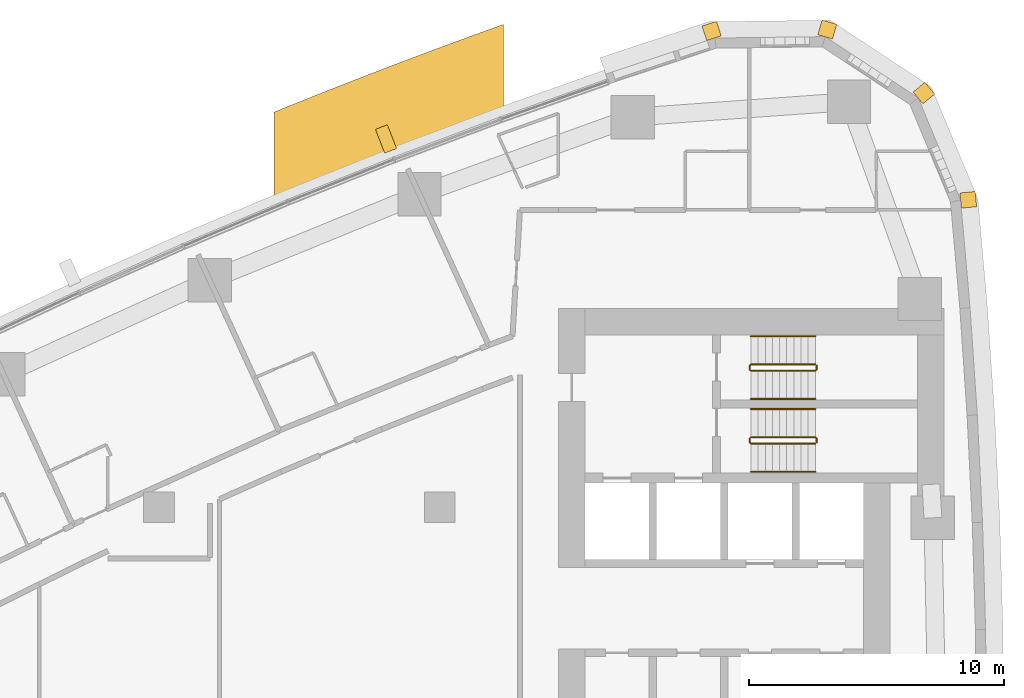
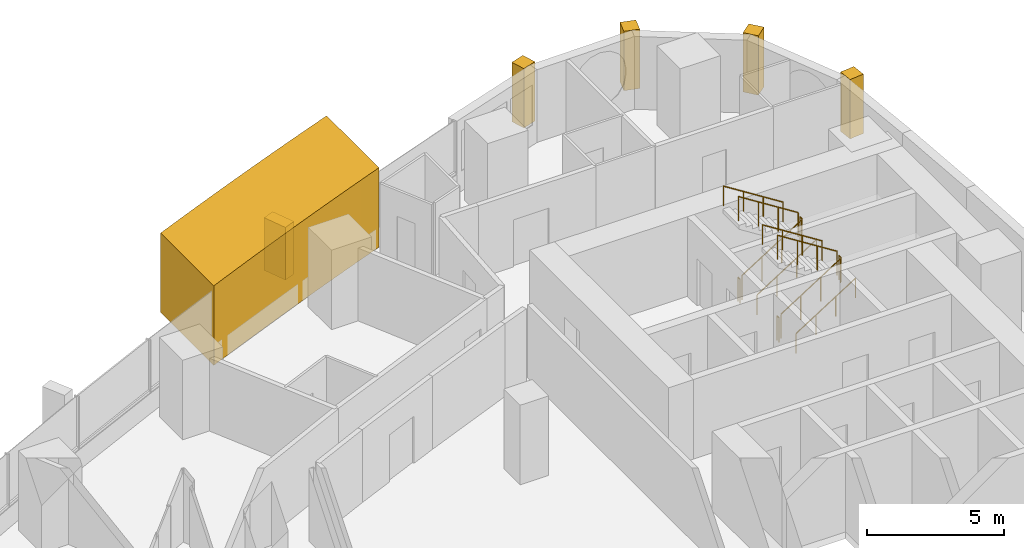
# One storey, part 17 of 17: 12 railings, 6 coverings.
"""IFC4 building model written with IfcOpenShell, lengths in metres."""

from ifc_helpers import new_model, si_unit, direction, frame, frame_2d, origin, origin_2d, place, context, subcontext, project, spatial, polyline, rectangle, circle, outline, extrude, material, layer, layer_set, type_object, element, save


model = new_model("IFC4")

# Units and contexts
model_context = context("Model", 3, precision=1e-05, world=origin(), true_north=direction((0.0, 1.0)))
body_context = subcontext(model_context, "Body", "Model", "MODEL_VIEW")
ifc_project = project(units=[si_unit("LENGTHUNIT", "METRE"), si_unit("AREAUNIT", "SQUARE_METRE"), si_unit("VOLUMEUNIT", "CUBIC_METRE"), si_unit("PLANEANGLEUNIT", "RADIAN"), si_unit("MASSUNIT", "GRAM", prefix="KILO")], contexts=[model_context])

# Site, building, storey
site_placement = place(None, origin())
site = spatial("IfcSite", under=ifc_project, at=site_placement, CompositionType="ELEMENT")
building_placement = place(site_placement, origin())
building = spatial("IfcBuilding", under=site, at=building_placement, Name="Ostrand Prow Hotel Tower", CompositionType="ELEMENT")
storey_placement = place(building_placement, frame((0.0, 0.0, 113.300048828125)))
storey = spatial("IfcBuildingStorey", under=building, at=storey_placement, Name="L27", CompositionType="ELEMENT", Elevation=113.300048828125)

# Coverings
ifc_material_1 = material(Name="Limestone cladding", Category="masonry")
ifc_layer_1 = layer(ifc_material_1, 5.0)
ifc_layer_set_1 = layer_set([ifc_layer_1], Name="Limestone cladding")
covering_type_1 = type_object("IfcCoveringType", Name="Portal jamb pilaster limestone", PredefinedType="CLADDING", material=ifc_layer_set_1)
covering_1_placement = place(storey_placement, origin())
element("IfcCovering", 1, at=covering_1_placement, inside=storey, type_object=covering_type_1, Name="Portal jamb NB L27", PredefinedType="CLADDING", context=body_context, shape_type="SweptSolid", body=[
    extrude(outline(polyline([(38.5, 20.59423828125), (39.5, 21.006103515625), (40.5, 21.412353515625), (41.5, 21.812744140625), (42.5, 22.207763671875), (43.5, 22.59716796875), (44.5, 22.98095703125), (45.5, 23.359130859375), (46.5, 23.732177734375), (47.5, 24.099609375), (47.5, 27.927490234375), (46.5, 27.566650390625), (45.5, 27.200439453125), (44.5, 26.8291015625), (43.5, 26.4521484375), (42.5, 26.06982421875), (41.5, 25.68212890625), (40.5, 25.2890625), (39.5, 24.890380859375), (38.5, 24.486083984375), (38.5, 20.59423828125)])), origin(), (0.0, 0.0, 1.0), 3.550048828125),
])
ifc_material_2 = material(Name="Limestone cladding", Category="masonry")
ifc_layer_2 = layer(ifc_material_2, 0.5)
ifc_layer_set_2 = layer_set([ifc_layer_2], Name="Limestone cladding")
covering_type_2 = type_object("IfcCoveringType", Name="Precast stone fin 500x900", PredefinedType="CLADDING", material=ifc_layer_set_2)
covering_2_placement = place(storey_placement, frame((43.0791015625, 22.97021484375, 0.89990234375), z_axis=(0.0, 0.0, 1.0), x_axis=(-0.361774694157, 0.932265558019, 0.0)))
element("IfcCovering", 2, at=covering_2_placement, inside=storey, type_object=covering_type_2, Name="Stone fin N 3", PredefinedType="CLADDING", context=body_context, shape_type="SweptSolid", body=[
    extrude(rectangle(XDim=1.0, YDim=0.5, at=frame_2d((0.5, 0.0))), origin(), (0.0, 0.0, 1.0), 2.35009765625),
])
ifc_material_3 = material(Name="Limestone cladding", Category="masonry")
ifc_layer_3 = layer(ifc_material_3, 0.60009765625)
ifc_layer_set_3 = layer_set([ifc_layer_3], Name="Limestone cladding")
covering_type_3 = type_object("IfcCoveringType", Name="Precast stone prow rib 600x600", PredefinedType="CLADDING", material=ifc_layer_set_3)
for number, where, z_axis, x_axis, name in (
    (3, (65.41650390625, 21.02099609375, 0.599853515625), (0.0, 0.0, 1.0), (0.99529571972, 0.096883591531, 0.0), "Stone corner rib 15a"),
    (4, (63.74365234375, 25.043212890625, 0.599853515625), (0.0, 0.0, 1.0), (0.770318500913, 0.637659319034, 0.0), "Stone corner rib 16a"),
):
    element("IfcCovering", number, at=place(storey_placement, frame(where, z_axis=z_axis, x_axis=x_axis)), inside=storey, type_object=covering_type_3, Name=name, PredefinedType="CLADDING", context=body_context, shape_type="SweptSolid", body=[
        extrude(rectangle(XDim=0.599853515625, YDim=0.60009765625, at=frame_2d((0.2998046875, 0.0))), origin(), (0.0, 0.0, 1.0), 2.650146484375),
    ])
covering_3_placement = place(storey_placement, frame((60.104736328125, 27.437744140625, 0.599853515625), z_axis=(0.0, 0.0, 1.0), x_axis=(0.280734221166, 0.959785547436, 0.0)))
element("IfcCovering", 5, at=covering_3_placement, inside=storey, type_object=covering_type_3, Name="Stone corner rib 17a", PredefinedType="CLADDING", context=body_context, shape_type="SweptSolid", body=[
    extrude(rectangle(XDim=0.60009765625, YDim=0.60009765625, at=frame_2d((0.300048828125, 0.0))), origin(), (0.0, 0.0, 1.0), 2.650146484375),
])
covering_4_placement = place(storey_placement, frame((55.7490234375, 27.3828125, 0.599853515625), z_axis=(0.0, 0.0, 1.0), x_axis=(-0.305218682065, 0.952282288042, 0.0)))
element("IfcCovering", 6, at=covering_4_placement, inside=storey, type_object=covering_type_3, Name="Stone corner rib 17b", PredefinedType="CLADDING", context=body_context, shape_type="SweptSolid", body=[
    extrude(rectangle(XDim=0.599853515625, YDim=0.60009765625, at=frame_2d((0.2998046875, 0.0))), origin(), (0.0, 0.0, 1.0), 2.650146484375),
])

# Railings
ifc_material_4 = material(Name="Painted steel", Category="steel")
railing_type_1 = type_object("IfcRailingType", Name="Stair guard 1100", PredefinedType="GUARDRAIL", material=ifc_material_4)
railing_1_placement = place(storey_placement, frame((57.199951171875, 11.5, 0.177490234375)))
element("IfcRailing", 7, at=railing_1_placement, inside=storey, type_object=railing_type_1, Name="L27 ST1C stair guard 1", PredefinedType="GUARDRAIL", context=body_context, shape_type="SweptSolid", body=[
    extrude(circle(Radius=0.02392578125, at=origin_2d()), frame((0.0, 0.0, 1.076171875), z_axis=(0.84460694969, 0.0, 0.535386869969), x_axis=(0.0, 1.0, 0.0)), (0.0, 0.0, 1.0), 2.983642578125),
    extrude(circle(Radius=0.02099609375, at=origin_2d()), origin(), (0.0, 0.0, 1.0), 1.052001953125),
    extrude(circle(Radius=0.02099609375, at=origin_2d()), frame((0.840087890625, 0.0, 0.532470703125)), (0.0, 0.0, 1.0), 1.052001953125),
    extrude(circle(Radius=0.02099609375, at=origin_2d()), frame((1.679931640625, 0.0, 1.06494140625)), (0.0, 0.0, 1.0), 1.052001953125),
    extrude(circle(Radius=0.02099609375, at=origin_2d()), frame((2.52001953125, 0.0, 1.597412109375)), (0.0, 0.0, 1.0), 1.052001953125),
])
railing_2_placement = place(storey_placement, frame((59.77001953125, 11.550048828125, 1.77490234375)))
element("IfcRailing", 8, at=railing_2_placement, inside=storey, type_object=railing_type_1, Name="L27 ST1C stair guard 2", PredefinedType="GUARDRAIL", context=body_context, shape_type="SweptSolid", body=[
    extrude(circle(Radius=0.02392578125, at=origin_2d()), frame((0.0, 0.0, 1.076171875), z_axis=(0.0, 1.0, 0.0), x_axis=(-1.0, 0.0, 0.0)), (0.0, 0.0, 1.0), 0.14990234375),
    extrude(circle(Radius=0.02099609375, at=origin_2d()), origin(), (0.0, 0.0, 1.0), 1.052001953125),
    extrude(circle(Radius=0.02099609375, at=origin_2d()), frame((0.0, 0.14990234375, 0.0)), (0.0, 0.0, 1.0), 1.052001953125),
])
railing_3_placement = place(storey_placement, frame((59.719970703125, 11.75, 1.952392578125)))
element("IfcRailing", 9, at=railing_3_placement, inside=storey, type_object=railing_type_1, Name="L27 ST1C stair guard 3", PredefinedType="GUARDRAIL", context=body_context, shape_type="SweptSolid", body=[
    extrude(circle(Radius=0.02392578125, at=origin_2d()), frame((0.0, 0.0, 1.076171875), z_axis=(-0.84456994832, 0.0, 0.535445237532), x_axis=(0.0, -1.0, 0.0)), (0.0, 0.0, 1.0), 2.98388671875),
    extrude(circle(Radius=0.02099609375, at=origin_2d()), origin(), (0.0, 0.0, 1.0), 1.052001953125),
    extrude(circle(Radius=0.02099609375, at=origin_2d()), frame((-0.840087890625, 0.0, 0.532470703125)), (0.0, 0.0, 1.0), 1.052001953125),
    extrude(circle(Radius=0.02099609375, at=origin_2d()), frame((-1.679931640625, 0.0, 1.065185546875)), (0.0, 0.0, 1.0), 1.052001953125),
    extrude(circle(Radius=0.02099609375, at=origin_2d()), frame((-2.52001953125, 0.0, 1.59765625)), (0.0, 0.0, 1.0), 1.052001953125),
])
railing_4_placement = place(storey_placement, frame((57.14990234375, 11.550048828125, 0.0)))
element("IfcRailing", 10, at=railing_4_placement, inside=storey, type_object=railing_type_1, Name="L27 ST1C stair guard 4", PredefinedType="GUARDRAIL", context=body_context, shape_type="SweptSolid", body=[
    extrude(circle(Radius=0.02392578125, at=origin_2d()), frame((0.0, 0.0, 1.076171875), z_axis=(0.0, 1.0, 0.0), x_axis=(-1.0, 0.0, 0.0)), (0.0, 0.0, 1.0), 0.14990234375),
    extrude(circle(Radius=0.02099609375, at=origin_2d()), origin(), (0.0, 0.0, 1.0), 1.052001953125),
    extrude(circle(Radius=0.02099609375, at=origin_2d()), frame((0.0, 0.14990234375, 0.0)), (0.0, 0.0, 1.0), 1.052001953125),
])
railing_5_placement = place(storey_placement, frame((57.199951171875, 14.35009765625, 0.177490234375)))
element("IfcRailing", 11, at=railing_5_placement, inside=storey, type_object=railing_type_1, Name="L27 ST3C stair guard 1", PredefinedType="GUARDRAIL", context=body_context, shape_type="SweptSolid", body=[
    extrude(circle(Radius=0.02392578125, at=origin_2d()), frame((0.0, 0.0, 1.076171875), z_axis=(0.84460694969, 0.0, 0.535386869969), x_axis=(0.0, 1.0, 0.0)), (0.0, 0.0, 1.0), 2.983642578125),
    extrude(circle(Radius=0.02099609375, at=origin_2d()), origin(), (0.0, 0.0, 1.0), 1.052001953125),
    extrude(circle(Radius=0.02099609375, at=origin_2d()), frame((0.840087890625, 0.0, 0.532470703125)), (0.0, 0.0, 1.0), 1.052001953125),
    extrude(circle(Radius=0.02099609375, at=origin_2d()), frame((1.679931640625, 0.0, 1.06494140625)), (0.0, 0.0, 1.0), 1.052001953125),
    extrude(circle(Radius=0.02099609375, at=origin_2d()), frame((2.52001953125, 0.0, 1.597412109375)), (0.0, 0.0, 1.0), 1.052001953125),
])
railing_6_placement = place(storey_placement, frame((59.77001953125, 14.39990234375, 1.77490234375)))
element("IfcRailing", 12, at=railing_6_placement, inside=storey, type_object=railing_type_1, Name="L27 ST3C stair guard 2", PredefinedType="GUARDRAIL", context=body_context, shape_type="SweptSolid", body=[
    extrude(circle(Radius=0.02392578125, at=origin_2d()), frame((0.0, 0.0, 1.076171875), z_axis=(0.0, 1.0, 0.0), x_axis=(-1.0, 0.0, 0.0)), (0.0, 0.0, 1.0), 0.150146484375),
    extrude(circle(Radius=0.02099609375, at=origin_2d()), origin(), (0.0, 0.0, 1.0), 1.052001953125),
    extrude(circle(Radius=0.02099609375, at=origin_2d()), frame((0.0, 0.150146484375, 0.0)), (0.0, 0.0, 1.0), 1.052001953125),
])
railing_7_placement = place(storey_placement, frame((59.719970703125, 14.60009765625, 1.952392578125)))
element("IfcRailing", 13, at=railing_7_placement, inside=storey, type_object=railing_type_1, Name="L27 ST3C stair guard 3", PredefinedType="GUARDRAIL", context=body_context, shape_type="SweptSolid", body=[
    extrude(circle(Radius=0.02392578125, at=origin_2d()), frame((0.0, 0.0, 1.076171875), z_axis=(-0.84456994832, 0.0, 0.535445237532), x_axis=(0.0, -1.0, 0.0)), (0.0, 0.0, 1.0), 2.98388671875),
    extrude(circle(Radius=0.02099609375, at=origin_2d()), origin(), (0.0, 0.0, 1.0), 1.052001953125),
    extrude(circle(Radius=0.02099609375, at=origin_2d()), frame((-0.840087890625, 0.0, 0.532470703125)), (0.0, 0.0, 1.0), 1.052001953125),
    extrude(circle(Radius=0.02099609375, at=origin_2d()), frame((-1.679931640625, 0.0, 1.065185546875)), (0.0, 0.0, 1.0), 1.052001953125),
    extrude(circle(Radius=0.02099609375, at=origin_2d()), frame((-2.52001953125, 0.0, 1.59765625)), (0.0, 0.0, 1.0), 1.052001953125),
])
railing_8_placement = place(storey_placement, frame((57.14990234375, 14.39990234375, 0.0)))
element("IfcRailing", 14, at=railing_8_placement, inside=storey, type_object=railing_type_1, Name="L27 ST3C stair guard 4", PredefinedType="GUARDRAIL", context=body_context, shape_type="SweptSolid", body=[
    extrude(circle(Radius=0.02392578125, at=origin_2d()), frame((0.0, 0.0, 1.076171875), z_axis=(0.0, 1.0, 0.0), x_axis=(-1.0, 0.0, 0.0)), (0.0, 0.0, 1.0), 0.150146484375),
    extrude(circle(Radius=0.02099609375, at=origin_2d()), origin(), (0.0, 0.0, 1.0), 1.052001953125),
    extrude(circle(Radius=0.02099609375, at=origin_2d()), frame((0.0, 0.150146484375, 0.0)), (0.0, 0.0, 1.0), 1.052001953125),
])
ifc_material_5 = material(Name="Stainless steel", Category="steel")
railing_type_2 = type_object("IfcRailingType", Name="Stair handrail 900", PredefinedType="HANDRAIL", material=ifc_material_5)
railing_9_placement = place(storey_placement, frame((57.199951171875, 10.39990234375, 0.177490234375)))
element("IfcRailing", 15, at=railing_9_placement, inside=storey, type_object=railing_type_2, Name="L27 ST1C stair handrail 1", PredefinedType="HANDRAIL", context=body_context, shape_type="SweptSolid", body=[
    extrude(circle(Radius=0.02392578125, at=origin_2d()), frame((0.0, 0.0, 0.8759765625), z_axis=(0.84460694969, 0.0, 0.535386869969), x_axis=(0.0, 1.0, 0.0)), (0.0, 0.0, 1.0), 2.983642578125),
    extrude(circle(Radius=0.02099609375, at=origin_2d()), origin(), (0.0, 0.0, 1.0), 0.851806640625),
    extrude(circle(Radius=0.02099609375, at=origin_2d()), frame((0.840087890625, 0.0, 0.532470703125)), (0.0, 0.0, 1.0), 0.851806640625),
    extrude(circle(Radius=0.02099609375, at=origin_2d()), frame((1.679931640625, 0.0, 1.06494140625)), (0.0, 0.0, 1.0), 0.851806640625),
    extrude(circle(Radius=0.02099609375, at=origin_2d()), frame((2.52001953125, 0.0, 1.597412109375)), (0.0, 0.0, 1.0), 0.851806640625),
])
railing_10_placement = place(storey_placement, frame((59.719970703125, 12.85009765625, 1.952392578125)))
element("IfcRailing", 16, at=railing_10_placement, inside=storey, type_object=railing_type_2, Name="L27 ST1C stair handrail 2", PredefinedType="HANDRAIL", context=body_context, shape_type="SweptSolid", body=[
    extrude(circle(Radius=0.02392578125, at=origin_2d()), frame((0.0, 0.0, 0.8759765625), z_axis=(-0.84456994832, 0.0, 0.535445237532), x_axis=(0.0, -1.0, 0.0)), (0.0, 0.0, 1.0), 2.98388671875),
    extrude(circle(Radius=0.02099609375, at=origin_2d()), origin(), (0.0, 0.0, 1.0), 0.851806640625),
    extrude(circle(Radius=0.02099609375, at=origin_2d()), frame((-0.840087890625, 0.0, 0.532470703125)), (0.0, 0.0, 1.0), 0.851806640625),
    extrude(circle(Radius=0.02099609375, at=origin_2d()), frame((-1.679931640625, 0.0, 1.065185546875)), (0.0, 0.0, 1.0), 0.851806640625),
    extrude(circle(Radius=0.02099609375, at=origin_2d()), frame((-2.52001953125, 0.0, 1.59765625)), (0.0, 0.0, 1.0), 0.851806640625),
])
railing_11_placement = place(storey_placement, frame((57.199951171875, 13.25, 0.177490234375)))
element("IfcRailing", 17, at=railing_11_placement, inside=storey, type_object=railing_type_2, Name="L27 ST3C stair handrail 1", PredefinedType="HANDRAIL", context=body_context, shape_type="SweptSolid", body=[
    extrude(circle(Radius=0.02392578125, at=origin_2d()), frame((0.0, 0.0, 0.8759765625), z_axis=(0.84460694969, 0.0, 0.535386869969), x_axis=(0.0, 1.0, 0.0)), (0.0, 0.0, 1.0), 2.983642578125),
    extrude(circle(Radius=0.02099609375, at=origin_2d()), origin(), (0.0, 0.0, 1.0), 0.851806640625),
    extrude(circle(Radius=0.02099609375, at=origin_2d()), frame((0.840087890625, 0.0, 0.532470703125)), (0.0, 0.0, 1.0), 0.851806640625),
    extrude(circle(Radius=0.02099609375, at=origin_2d()), frame((1.679931640625, 0.0, 1.06494140625)), (0.0, 0.0, 1.0), 0.851806640625),
    extrude(circle(Radius=0.02099609375, at=origin_2d()), frame((2.52001953125, 0.0, 1.597412109375)), (0.0, 0.0, 1.0), 0.851806640625),
])
railing_12_placement = place(storey_placement, frame((59.719970703125, 15.699951171875, 1.952392578125)))
element("IfcRailing", 18, at=railing_12_placement, inside=storey, type_object=railing_type_2, Name="L27 ST3C stair handrail 2", PredefinedType="HANDRAIL", context=body_context, shape_type="SweptSolid", body=[
    extrude(circle(Radius=0.02392578125, at=origin_2d()), frame((0.0, 0.0, 0.8759765625), z_axis=(-0.84456994832, 0.0, 0.535445237532), x_axis=(0.0, -1.0, 0.0)), (0.0, 0.0, 1.0), 2.98388671875),
    extrude(circle(Radius=0.02099609375, at=origin_2d()), origin(), (0.0, 0.0, 1.0), 0.851806640625),
    extrude(circle(Radius=0.02099609375, at=origin_2d()), frame((-0.840087890625, 0.0, 0.532470703125)), (0.0, 0.0, 1.0), 0.851806640625),
    extrude(circle(Radius=0.02099609375, at=origin_2d()), frame((-1.679931640625, 0.0, 1.065185546875)), (0.0, 0.0, 1.0), 0.851806640625),
    extrude(circle(Radius=0.02099609375, at=origin_2d()), frame((-2.52001953125, 0.0, 1.59765625)), (0.0, 0.0, 1.0), 0.851806640625),
])

save(model, "model.ifc")
